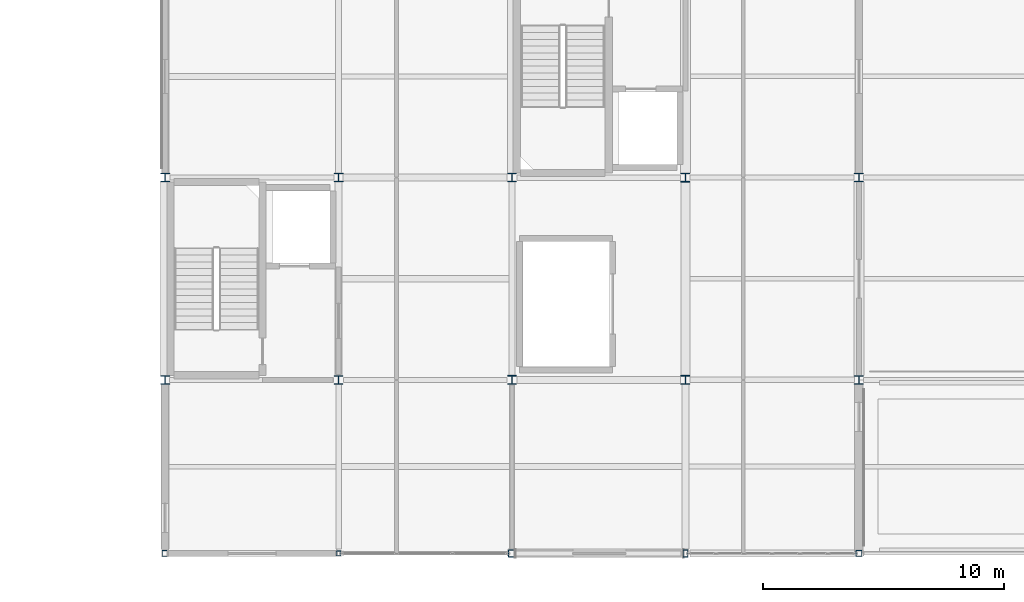
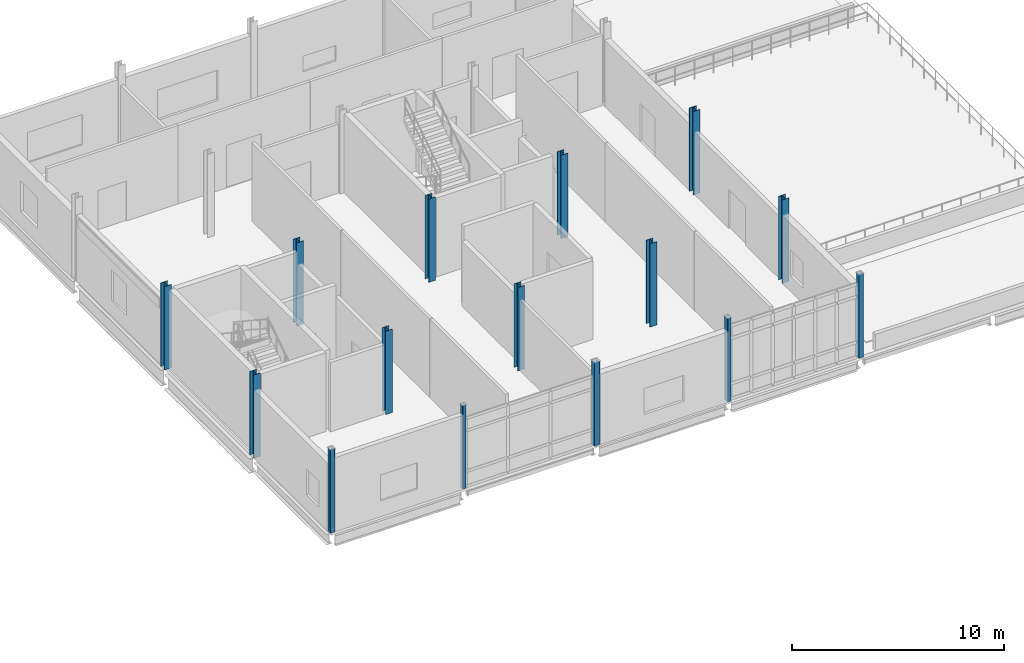
# One storey, part 5 of 72: 15 columns.
"""IFC4 building model written with IfcOpenShell, lengths in metres."""

from ifc_helpers import new_model, si_unit, direction, frame, origin, origin_2d, place, context, subcontext, project, spatial, hollow_rectangle, i_section, extrude, material, material_profile, profile_set, type_object, element, save


model = new_model("IFC4")

# Units and contexts
model_context = context("Model", 3, precision=1e-05, world=origin(), true_north=direction((0.0, 1.0)))
body_context = subcontext(model_context, "Body", "Model", "MODEL_VIEW")
ifc_project = project(units=[si_unit("LENGTHUNIT", "METRE"), si_unit("AREAUNIT", "SQUARE_METRE"), si_unit("VOLUMEUNIT", "CUBIC_METRE"), si_unit("PLANEANGLEUNIT", "RADIAN"), si_unit("MASSUNIT", "GRAM", prefix="KILO")], contexts=[model_context])

# Site, building, storey
site_placement = place(None, origin())
site = spatial("IfcSite", under=ifc_project, at=site_placement, CompositionType="ELEMENT")
building_placement = place(site_placement, origin())
building = spatial("IfcBuilding", under=site, at=building_placement, Name="Calvrana Isthmian Art Gallery", CompositionType="ELEMENT")
storey_placement = place(building_placement, frame((0.0, 0.0, 15.0)))
storey = spatial("IfcBuildingStorey", under=building, at=storey_placement, Name="L03", CompositionType="ELEMENT", Elevation=15.0)

# Columns
ifc_material_1 = material(Name="Steel ASTM A500 Gr C", Category="steel")
ifc_material_profile_1 = material_profile(ifc_material_1, hollow_rectangle(XDim=0.203125, YDim=0.203125, WallThickness=0.0126953125, OuterFilletRadius=0.02490234375, at=origin_2d()), Name="HSS203X203X12.7")
ifc_profile_set_1 = profile_set([ifc_material_profile_1], Name="Steel ASTM A500 Gr C")
column_type_1 = type_object("IfcColumnType", Name="COL-STL-HSS203X203X12.7", PredefinedType="COLUMN", material=ifc_profile_set_1)
column_1_placement = place(storey_placement, frame((120.0, 14.39990234375, 0.0), z_axis=(0.0, 0.0, 1.0), x_axis=(1.0, 0.0, 0.0)))
element("IfcColumn", 1, at=column_1_placement, inside=storey, type_object=column_type_1, Name="Column 16/C L03", PredefinedType="COLUMN", context=body_context, shape_type="SweptSolid", body=[
    extrude(hollow_rectangle(XDim=0.203125, YDim=0.203125, WallThickness=0.0126953125, OuterFilletRadius=0.02490234375, at=origin_2d()), origin(), (0.0, 0.0, 1.0), 4.800048828125),
])
ifc_material_profile_2 = material_profile(ifc_material_1, hollow_rectangle(XDim=0.25390625, YDim=0.25390625, WallThickness=0.0126953125, OuterFilletRadius=0.02490234375, at=origin_2d()), Name="HSS254X254X12.7")
ifc_profile_set_2 = profile_set([ifc_material_profile_2], Name="Steel ASTM A500 Gr C")
column_type_2 = type_object("IfcColumnType", Name="COL-STL-HSS254X254X12.7", PredefinedType="COLUMN", material=ifc_profile_set_2)
for number, where, z_axis, x_axis, name in (
    (2, (112.800048828125, 14.39990234375, 0.0), (0.0, 0.0, 1.0), (1.0, 0.0, 0.0), "Column 15/C L03"),
    (3, (141.60009765625, 14.39990234375, 0.0), (0.0, 0.0, 1.0), (1.0, 0.0, 0.0), "Column 19/C L03"),
):
    element("IfcColumn", number, at=place(storey_placement, frame(where, z_axis=z_axis, x_axis=x_axis)), inside=storey, type_object=column_type_2, Name=name, PredefinedType="COLUMN", context=body_context, shape_type="SweptSolid", body=[
        extrude(hollow_rectangle(XDim=0.25390625, YDim=0.25390625, WallThickness=0.0126953125, OuterFilletRadius=0.02490234375, at=origin_2d()), origin(), (0.0, 0.0, 1.0), 4.800048828125),
    ])
ifc_material_profile_3 = material_profile(ifc_material_1, hollow_rectangle(XDim=0.203125, YDim=0.3046875, WallThickness=0.0126953125, OuterFilletRadius=0.02490234375, at=origin_2d()), Name="HSS305X203X12.7")
ifc_profile_set_3 = profile_set([ifc_material_profile_3], Name="Steel ASTM A500 Gr C")
column_type_3 = type_object("IfcColumnType", Name="COL-STL-HSS305X203X12.7", PredefinedType="COLUMN", material=ifc_profile_set_3)
column_2_placement = place(storey_placement, frame((134.39990234375, 14.39990234375, 0.0), z_axis=(0.0, 0.0, 1.0), x_axis=(1.0, 0.0, 0.0)))
element("IfcColumn", 4, at=column_2_placement, inside=storey, type_object=column_type_3, Name="Column 18/C L03", PredefinedType="COLUMN", context=body_context, shape_type="SweptSolid", body=[
    extrude(hollow_rectangle(XDim=0.203125, YDim=0.3046875, WallThickness=0.0126953125, OuterFilletRadius=0.02490234375, at=origin_2d()), origin(), (0.0, 0.0, 1.0), 4.800048828125),
])
ifc_material_profile_4 = material_profile(ifc_material_1, hollow_rectangle(XDim=0.3046875, YDim=0.3046875, WallThickness=0.015869140625, OuterFilletRadius=0.031982421875, at=origin_2d()), Name="HSS305X305X15.9")
ifc_profile_set_4 = profile_set([ifc_material_profile_4], Name="Steel ASTM A500 Gr C")
column_type_4 = type_object("IfcColumnType", Name="COL-STL-HSS305X305X15.9", PredefinedType="COLUMN", material=ifc_profile_set_4)
column_3_placement = place(storey_placement, frame((127.199951171875, 14.39990234375, 0.0), z_axis=(0.0, 0.0, 1.0), x_axis=(1.0, 0.0, 0.0)))
element("IfcColumn", 5, at=column_3_placement, inside=storey, type_object=column_type_4, Name="Column 17/C L03", PredefinedType="COLUMN", context=body_context, shape_type="SweptSolid", body=[
    extrude(hollow_rectangle(XDim=0.3046875, YDim=0.3046875, WallThickness=0.015869140625, OuterFilletRadius=0.031982421875, at=origin_2d()), origin(), (0.0, 0.0, 1.0), 4.800048828125),
])
ifc_material_2 = material(Name="Steel ASTM A992 Gr 50", Category="steel")
ifc_material_profile_5 = material_profile(ifc_material_2, i_section(OverallWidth=0.37109375, OverallDepth=0.363037109375, WebThickness=0.01318359375, FlangeThickness=0.021728515625, FilletRadius=0.02490234375, at=origin_2d()), Name="W14X109")
ifc_profile_set_5 = profile_set([ifc_material_profile_5], Name="Steel ASTM A992 Gr 50")
column_type_5 = type_object("IfcColumnType", Name="COL-STL-W14X109", PredefinedType="COLUMN", material=ifc_profile_set_5)
for number, where, z_axis, x_axis, name in (
    (6, (112.800048828125, 21.60009765625, 0.0), (0.0, 0.0, 1.0), (1.0, 0.0, 0.0), "Column 15/D L03"),
    (7, (120.0, 30.0, 0.0), (0.0, 0.0, 1.0), (1.0, 0.0, 0.0), "Column 16/E L03"),
    (8, (141.60009765625, 21.60009765625, 0.0), (0.0, 0.0, 1.0), (1.0, 0.0, 0.0), "Column 19/D L03"),
):
    element("IfcColumn", number, at=place(storey_placement, frame(where, z_axis=z_axis, x_axis=x_axis)), inside=storey, type_object=column_type_5, Name=name, PredefinedType="COLUMN", context=body_context, shape_type="SweptSolid", body=[
        extrude(i_section(OverallWidth=0.37109375, OverallDepth=0.363037109375, WebThickness=0.01318359375, FlangeThickness=0.021728515625, FilletRadius=0.02490234375, at=origin_2d()), origin(), (0.0, 0.0, 1.0), 4.800048828125),
    ])
ifc_material_profile_6 = material_profile(ifc_material_2, i_section(OverallWidth=0.373046875, OverallDepth=0.367919921875, WebThickness=0.014892578125, FlangeThickness=0.02392578125, FilletRadius=0.02490234375, at=origin_2d()), Name="W14X120")
ifc_profile_set_6 = profile_set([ifc_material_profile_6], Name="Steel ASTM A992 Gr 50")
column_type_6 = type_object("IfcColumnType", Name="COL-STL-W14X120", PredefinedType="COLUMN", material=ifc_profile_set_6)
for number, where, z_axis, x_axis, name in (
    (9, (112.800048828125, 30.0, 0.0), (0.0, 0.0, 1.0), (1.0, 0.0, 0.0), "Column 15/E L03"),
    (10, (134.39990234375, 21.60009765625, 0.0), (0.0, 0.0, 1.0), (1.0, 0.0, 0.0), "Column 18/D L03"),
    (11, (141.60009765625, 30.0, 0.0), (0.0, 0.0, 1.0), (1.0, 0.0, 0.0), "Column 19/E L03"),
):
    element("IfcColumn", number, at=place(storey_placement, frame(where, z_axis=z_axis, x_axis=x_axis)), inside=storey, type_object=column_type_6, Name=name, PredefinedType="COLUMN", context=body_context, shape_type="SweptSolid", body=[
        extrude(i_section(OverallWidth=0.373046875, OverallDepth=0.367919921875, WebThickness=0.014892578125, FlangeThickness=0.02392578125, FilletRadius=0.02490234375, at=origin_2d()), origin(), (0.0, 0.0, 1.0), 4.800048828125),
    ])
ifc_material_profile_7 = material_profile(ifc_material_2, i_section(OverallWidth=0.373046875, OverallDepth=0.373046875, WebThickness=0.016357421875, FlangeThickness=0.026123046875, FilletRadius=0.02490234375, at=origin_2d()), Name="W14X132")
ifc_profile_set_7 = profile_set([ifc_material_profile_7], Name="Steel ASTM A992 Gr 50")
column_type_7 = type_object("IfcColumnType", Name="COL-STL-W14X132", PredefinedType="COLUMN", material=ifc_profile_set_7)
for number, where, z_axis, x_axis, name in (
    (12, (127.199951171875, 21.60009765625, 0.0), (0.0, 0.0, 1.0), (1.0, 0.0, 0.0), "Column 17/D L03"),
    (13, (134.39990234375, 30.0, 0.0), (0.0, 0.0, 1.0), (1.0, 0.0, 0.0), "Column 18/E L03"),
):
    element("IfcColumn", number, at=place(storey_placement, frame(where, z_axis=z_axis, x_axis=x_axis)), inside=storey, type_object=column_type_7, Name=name, PredefinedType="COLUMN", context=body_context, shape_type="SweptSolid", body=[
        extrude(i_section(OverallWidth=0.373046875, OverallDepth=0.373046875, WebThickness=0.016357421875, FlangeThickness=0.026123046875, FilletRadius=0.02490234375, at=origin_2d()), origin(), (0.0, 0.0, 1.0), 4.800048828125),
    ])
ifc_material_profile_8 = material_profile(ifc_material_2, i_section(OverallWidth=0.367919921875, OverallDepth=0.35595703125, WebThickness=0.01123046875, FlangeThickness=0.01806640625, FilletRadius=0.02490234375, at=origin_2d()), Name="W14X90")
ifc_profile_set_8 = profile_set([ifc_material_profile_8], Name="Steel ASTM A992 Gr 50")
column_type_8 = type_object("IfcColumnType", Name="COL-STL-W14X90", PredefinedType="COLUMN", material=ifc_profile_set_8)
for number, where, z_axis, x_axis, name in (
    (14, (120.0, 21.60009765625, 0.0), (0.0, 0.0, 1.0), (1.0, 0.0, 0.0), "Column 16/D L03"),
    (15, (127.199951171875, 30.0, 0.0), (0.0, 0.0, 1.0), (1.0, 0.0, 0.0), "Column 17/E L03"),
):
    element("IfcColumn", number, at=place(storey_placement, frame(where, z_axis=z_axis, x_axis=x_axis)), inside=storey, type_object=column_type_8, Name=name, PredefinedType="COLUMN", context=body_context, shape_type="SweptSolid", body=[
        extrude(i_section(OverallWidth=0.367919921875, OverallDepth=0.35595703125, WebThickness=0.01123046875, FlangeThickness=0.01806640625, FilletRadius=0.02490234375, at=origin_2d()), origin(), (0.0, 0.0, 1.0), 4.800048828125),
    ])

save(model, "model.ifc")
